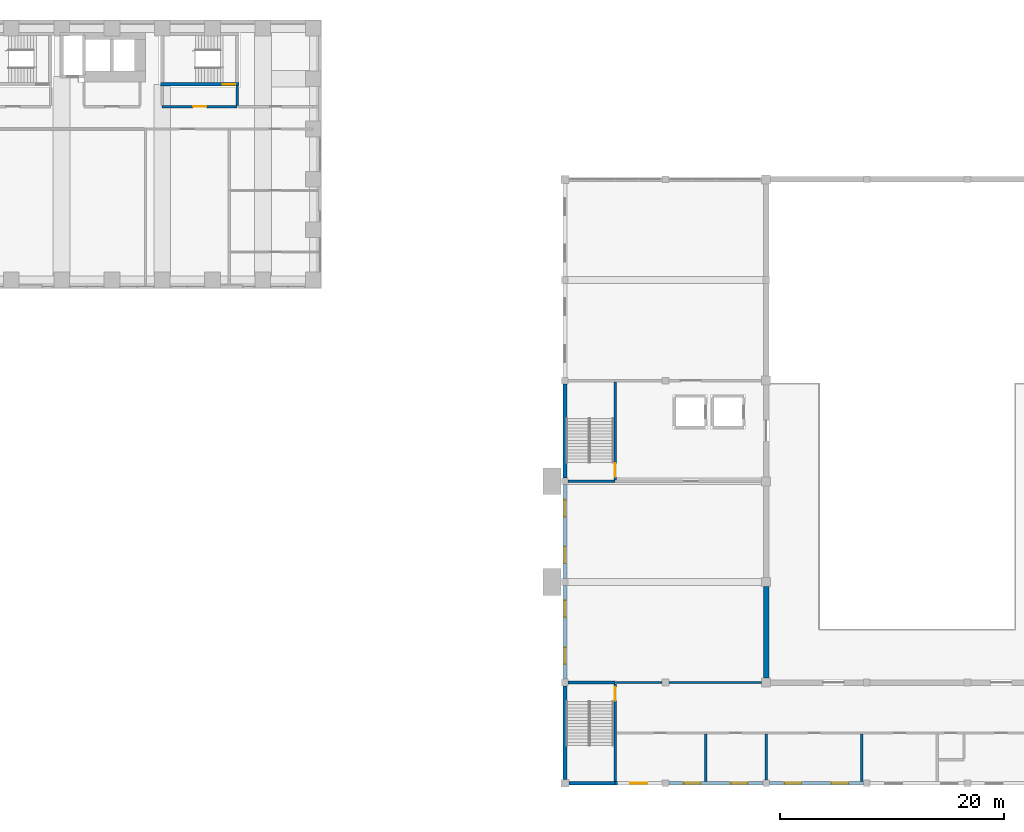
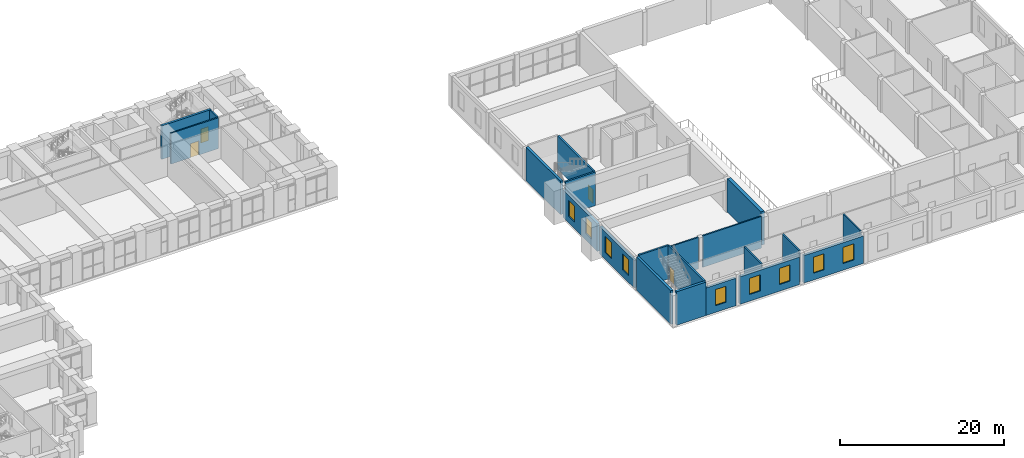
# One storey, part 21 of 34: 21 walls, 9 windows, 4 doors, 13 openings.
"""IFC4 building model written with IfcOpenShell, lengths in metres."""

from ifc_helpers import new_model, si_unit, direction, frame, frame_2d, origin, place, context, subcontext, project, spatial, rectangle, extrude, material, layer, layer_set, type_object, element, fill, save


model = new_model("IFC4")

# Units and contexts
model_context = context("Model", 3, precision=1e-05, world=origin(), true_north=direction((0.0, 1.0)))
body_context = subcontext(model_context, "Body", "Model", "MODEL_VIEW")
ifc_project = project(units=[si_unit("LENGTHUNIT", "METRE"), si_unit("AREAUNIT", "SQUARE_METRE"), si_unit("VOLUMEUNIT", "CUBIC_METRE"), si_unit("PLANEANGLEUNIT", "RADIAN"), si_unit("MASSUNIT", "GRAM", prefix="KILO")], contexts=[model_context])

# Site, building, storey
site_placement = place(None, origin())
site = spatial("IfcSite", under=ifc_project, at=site_placement, CompositionType="ELEMENT")
building_placement = place(site_placement, origin())
building = spatial("IfcBuilding", under=site, at=building_placement, Name="Firuza Court", CompositionType="ELEMENT")
storey_placement = place(building_placement, frame((0.0, 0.0, 14.0)))
storey = spatial("IfcBuildingStorey", under=building, at=storey_placement, Name="L02", CompositionType="ELEMENT", Elevation=14.0)

# Wall, opening, door
ifc_material_1 = material(Name="Concrete C60/75", Category="concrete")
ifc_layer_1 = layer(ifc_material_1, 0.300048828125)
ifc_layer_set_1 = layer_set([ifc_layer_1], Name="Concrete C60/75")
wall_type_1 = type_object("IfcWallType", Name="Core wall 300 C60/75", PredefinedType="SHEAR", material=ifc_layer_set_1)
wall_1_placement = place(storey_placement, frame((53.85009765625, 53.5, -0.39990234375), z_axis=(0.0, 0.0, 1.0), x_axis=(1.0, 0.0, 0.0)))
wall_1 = element("IfcWall", 1, at=wall_1_placement, inside=storey, type_object=wall_type_1, Name="Core wall stair L02", PredefinedType="SHEAR", context=body_context, shape_type="SweptSolid", body=[
    extrude(rectangle(XDim=7.0, YDim=0.300048828125, at=frame_2d((3.5, 0.0))), origin(), (0.0, 0.0, 1.0), 5.0),
])
opening_1_placement = place(wall_1_placement, frame((5.580078125, 0.0, 0.39990234375)))
opening_1 = element("IfcOpeningElement", 2, at=opening_1_placement, cuts=wall_1, Name="Opening D02017", PredefinedType="OPENING", context=body_context, shape_type="SweptSolid", body=[
    extrude(rectangle(XDim=1.10009765625, YDim=2.10009765625, at=frame_2d((0.550048828125, 1.050048828125))), frame((0.0, 0.162109375, 0.0), z_axis=(0.0, -1.0, 0.0), x_axis=(1.0, 0.0, 0.0)), (0.0, 0.0, 1.0), 0.323974609375),
])
ifc_material_2 = material(Name="Timber door leaf in hardwood frame", Category="wood")
door_type_1 = type_object("IfcDoorType", Name="Stair door 1100", OperationType="SINGLE_SWING_LEFT", PredefinedType="DOOR", material=ifc_material_2)
door_1_placement = place(opening_1_placement, origin())
door_1 = element("IfcDoor", 3, at=door_1_placement, inside=storey, type_object=door_type_1, Name="Stair door S4", OperationType="SINGLE_SWING_RIGHT", OverallHeight=2.10009765625, OverallWidth=1.10009765625, PredefinedType="DOOR", context=body_context, shape_type="SweptSolid", body=[
    extrude(rectangle(XDim=1.10009765625, YDim=2.10009765625, at=frame_2d((0.550048828125, 1.050048828125))), frame((0.0, 0.02490234375, 0.0), z_axis=(0.0, -1.0, 0.0), x_axis=(1.0, 0.0, 0.0)), (0.0, 0.0, 1.0), 0.050048828125),
])
fill(opening_1, door_1)

# Walls
ifc_material_3 = material(Name="Blockwork", Category="masonry")
ifc_layer_2 = layer(ifc_material_3, 0.199951171875)
ifc_layer_set_2 = layer_set([ifc_layer_2], Name="Blockwork")
wall_type_2 = type_object("IfcWallType", Name="HALL PARTITION 200", PredefinedType="STANDARD", material=ifc_layer_set_2)
wall_2_placement = place(storey_placement, frame((94.5, 0.0, 0.0), z_axis=(0.0, 0.0, 1.0), x_axis=(1.0, 0.0, 0.0)))
element("IfcWall", 4, at=wall_2_placement, inside=storey, type_object=wall_type_2, Name="Wall L02.13", PredefinedType="STANDARD", context=body_context, shape_type="SweptSolid", body=[
    extrude(rectangle(XDim=4.199951171875, YDim=0.199951171875, at=frame_2d((2.10009765625, 0.0))), origin(), (0.0, 0.0, 1.0), 4.699951171875),
])
wall_3_placement = place(storey_placement, frame((99.300048828125, 0.0, 0.0), z_axis=(0.0, 0.0, 1.0), x_axis=(1.0, 0.0, 0.0)))
element("IfcWall", 5, at=wall_3_placement, inside=storey, type_object=wall_type_2, Name="Wall L02.14", PredefinedType="STANDARD", context=body_context, shape_type="SweptSolid", body=[
    extrude(rectangle(XDim=8.300048828125, YDim=0.199951171875, at=frame_2d((4.14990234375, 0.0))), origin(), (0.0, 0.0, 1.0), 4.699951171875),
])
wall_4_placement = place(storey_placement, frame((102.60009765625, -8.824951171875, 0.0), z_axis=(0.0, 0.0, 1.0), x_axis=(0.0, 1.0, 0.0)))
element("IfcWall", 6, at=wall_4_placement, inside=storey, type_object=wall_type_2, Name="Wall L02.58", PredefinedType="STANDARD", context=body_context, shape_type="SweptSolid", body=[
    extrude(rectangle(XDim=4.224853515625, YDim=0.199951171875, at=frame_2d((2.1123046875, 0.0))), origin(), (0.0, 0.0, 1.0), 4.699951171875),
])
wall_5_placement = place(storey_placement, frame((108.0, -8.699951171875, 0.0), z_axis=(0.0, 0.0, 1.0), x_axis=(0.0, 1.0, 0.0)))
element("IfcWall", 7, at=wall_5_placement, inside=storey, type_object=wall_type_2, Name="Wall L02.62", PredefinedType="STANDARD", context=body_context, shape_type="SweptSolid", body=[
    extrude(rectangle(XDim=4.099853515625, YDim=0.199951171875, at=frame_2d((2.0498046875, 0.0))), origin(), (0.0, 0.0, 1.0), 4.699951171875),
])
wall_6_placement = place(storey_placement, frame((116.550048828125, -8.824951171875, 0.0), z_axis=(0.0, 0.0, 1.0), x_axis=(0.0, 1.0, 0.0)))
element("IfcWall", 8, at=wall_6_placement, inside=storey, type_object=wall_type_2, Name="Wall L02.68", PredefinedType="STANDARD", context=body_context, shape_type="SweptSolid", body=[
    extrude(rectangle(XDim=4.224853515625, YDim=0.199951171875, at=frame_2d((2.1123046875, 0.0))), origin(), (0.0, 0.0, 1.0), 4.699951171875),
])
ifc_material_4 = material(Name="Concrete C40/50", Category="concrete")
ifc_layer_3 = layer(ifc_material_4, 0.25)
ifc_layer_set_3 = layer_set([ifc_layer_3], Name="Concrete C40/50")
wall_type_3 = type_object("IfcWallType", Name="HALL RC WALL 250", PredefinedType="STANDARD", material=ifc_layer_set_3)
for number, where, z_axis, x_axis, name in (
    (9, (90.300048828125, 0.0, 0.0), (0.0, 0.0, 1.0), (1.0, 0.0, 0.0), "Wall L02.12"),
    (10, (90.300048828125, 18.0, 0.0), (0.0, 0.0, 1.0), (1.0, 0.0, 0.0), "Wall L02.27"),
):
    element("IfcWall", number, at=place(storey_placement, frame(where, z_axis=z_axis, x_axis=x_axis)), inside=storey, type_object=wall_type_3, Name=name, PredefinedType="STANDARD", context=body_context, shape_type="SweptSolid", body=[
        extrude(rectangle(XDim=4.199951171875, YDim=0.25, at=frame_2d((2.10009765625, 0.0))), origin(), (0.0, 0.0, 1.0), 5.0),
    ])

# Wall, opening, door
wall_7_placement = place(storey_placement, frame((94.5, -8.824951171875, 0.0), z_axis=(0.0, 0.0, 1.0), x_axis=(0.0, 1.0, 0.0)))
wall_7 = element("IfcWall", 11, at=wall_7_placement, inside=storey, type_object=wall_type_3, Name="Wall L02.55", PredefinedType="STANDARD", context=body_context, shape_type="SweptSolid", body=[
    extrude(rectangle(XDim=8.699951171875, YDim=0.25, at=frame_2d((4.35009765625, 0.0))), origin(), (0.0, 0.0, 1.0), 5.0),
])
opening_2_placement = place(wall_7_placement, frame((7.219970703125, 0.0, 0.0)))
opening_2 = element("IfcOpeningElement", 12, at=opening_2_placement, cuts=wall_7, Name="Opening H095", PredefinedType="OPENING", context=body_context, shape_type="SweptSolid", body=[
    extrude(rectangle(XDim=1.199951171875, YDim=2.10009765625, at=frame_2d((0.60009765625, 1.050048828125))), frame((0.0, 0.136962890625, 0.0), z_axis=(0.0, -1.0, 0.0), x_axis=(1.0, 0.0, 0.0)), (0.0, 0.0, 1.0), 0.27392578125),
])
ifc_material_5 = material(Name="Timber", Category="wood")
door_type_2 = type_object("IfcDoorType", Name="HALL DOOR 1200X2100", OperationType="SINGLE_SWING_LEFT", PredefinedType="DOOR", material=ifc_material_5)
door_2_placement = place(opening_2_placement, origin())
door_2 = element("IfcDoor", 13, at=door_2_placement, inside=storey, type_object=door_type_2, Name="Stair H1 door", OperationType="SINGLE_SWING_RIGHT", OverallHeight=2.10009765625, OverallWidth=1.199951171875, PredefinedType="DOOR", context=body_context, shape_type="SweptSolid", body=[
    extrude(rectangle(XDim=1.199951171875, YDim=2.10009765625, at=frame_2d((0.60009765625, 1.050048828125))), frame((0.0, 0.02490234375, 0.0), z_axis=(0.0, -1.0, 0.0), x_axis=(1.0, 0.0, 0.0)), (0.0, 0.0, 1.0), 0.050048828125),
])
fill(opening_2, door_2)

wall_8_placement = place(storey_placement, frame((94.5, 18.125, 0.0), z_axis=(0.0, 0.0, 1.0), x_axis=(0.0, 1.0, 0.0)))
wall_8 = element("IfcWall", 14, at=wall_8_placement, inside=storey, type_object=wall_type_3, Name="Wall L02.56", PredefinedType="STANDARD", context=body_context, shape_type="SweptSolid", body=[
    extrude(rectangle(XDim=8.75, YDim=0.25, at=frame_2d((4.375, 0.0))), origin(), (0.0, 0.0, 1.0), 5.0),
])
opening_3_placement = place(wall_8_placement, frame((0.27001953125, 0.0, 0.0)))
opening_3 = element("IfcOpeningElement", 15, at=opening_3_placement, cuts=wall_8, Name="Opening H097", PredefinedType="OPENING", context=body_context, shape_type="SweptSolid", body=[
    extrude(rectangle(XDim=1.199951171875, YDim=2.10009765625, at=frame_2d((0.60009765625, 1.050048828125))), frame((0.0, 0.136962890625, 0.0), z_axis=(0.0, -1.0, 0.0), x_axis=(1.0, 0.0, 0.0)), (0.0, 0.0, 1.0), 0.27392578125),
])
door_3_placement = place(opening_3_placement, origin())
door_3 = element("IfcDoor", 16, at=door_3_placement, inside=storey, type_object=door_type_2, Name="Stair H3 door", OperationType="SINGLE_SWING_LEFT", OverallHeight=2.10009765625, OverallWidth=1.199951171875, PredefinedType="DOOR", context=body_context, shape_type="SweptSolid", body=[
    extrude(rectangle(XDim=1.199951171875, YDim=2.10009765625, at=frame_2d((0.60009765625, 1.050048828125))), frame((0.0, 0.02490234375, 0.0), z_axis=(0.0, -1.0, 0.0), x_axis=(1.0, 0.0, 0.0)), (0.0, 0.0, 1.0), 0.050048828125),
])
fill(opening_3, door_3)

# Walls
ifc_layer_4 = layer(ifc_material_4, 0.5)
ifc_layer_set_4 = layer_set([ifc_layer_4], Name="Concrete C40/50")
wall_type_4 = type_object("IfcWallType", Name="HALL RC WALL 500", PredefinedType="STANDARD", material=ifc_layer_set_4)
wall_9_placement = place(storey_placement, frame((108.0, 0.39990234375, 0.0), z_axis=(0.0, 0.0, 1.0), x_axis=(0.0, 1.0, 0.0)))
element("IfcWall", 17, at=wall_9_placement, inside=storey, type_object=wall_type_4, Name="Wall L02.63", PredefinedType="STANDARD", context=body_context, shape_type="SweptSolid", body=[
    extrude(rectangle(XDim=8.2001953125, YDim=0.5, at=frame_2d((4.10009765625, 0.0))), origin(), (0.0, 0.0, 1.0), 5.0),
])
ifc_material_6 = material(Name="Concrete C30/37", Category="concrete")
ifc_layer_5 = layer(ifc_material_6, 0.300048828125)
ifc_material_7 = material(Name="Ceramic tile", Category="ceramic")
ifc_layer_6 = layer(ifc_material_7, 0.050048828125)
ifc_layer_set_5 = layer_set([ifc_layer_5, ifc_layer_6], Name="Concrete C30/37")
wall_type_5 = type_object("IfcWallType", Name="HALL TILE CLAD WALL 350", PredefinedType="STANDARD", material=ifc_layer_set_5)
wall_10_placement = place(storey_placement, frame((90.35009765625, -9.0, 0.0), z_axis=(0.0, 0.0, 1.0), x_axis=(1.0, 0.0, 0.0)))
element("IfcWall", 18, at=wall_10_placement, inside=storey, type_object=wall_type_5, Name="Wall L02.1", PredefinedType="STANDARD", context=body_context, shape_type="SweptSolid", body=[
    extrude(rectangle(XDim=4.14990234375, YDim=0.35009765625, at=frame_2d((2.074951171875, 0.0))), origin(), (0.0, 0.0, 1.0), 5.0),
])

# Wall, opening, window
wall_11_placement = place(storey_placement, frame((94.5, -9.0, 0.0), z_axis=(0.0, 0.0, 1.0), x_axis=(1.0, 0.0, 0.0)))
wall_11 = element("IfcWall", 19, at=wall_11_placement, inside=storey, type_object=wall_type_5, Name="Wall L02.2", PredefinedType="STANDARD", context=body_context, shape_type="SweptSolid", body=[
    extrude(rectangle(XDim=4.199951171875, YDim=0.35009765625, at=frame_2d((2.10009765625, 0.0))), origin(), (0.0, 0.0, 1.0), 4.10009765625),
])
opening_4_placement = place(wall_11_placement, frame((1.35009765625, 0.0, 1.0)))
opening_4 = element("IfcOpeningElement", 20, at=opening_4_placement, cuts=wall_11, Name="Opening HW-1", PredefinedType="OPENING", context=body_context, shape_type="SweptSolid", body=[
    extrude(rectangle(XDim=1.5, YDim=2.39990234375, at=frame_2d((0.75, 1.199951171875))), frame((0.0, 0.18701171875, 0.0), z_axis=(0.0, -1.0, 0.0), x_axis=(1.0, 0.0, 0.0)), (0.0, 0.0, 1.0), 0.3740234375),
])
ifc_material_8 = material(Name="Aluminium", Category="aluminium")
window_type = type_object("IfcWindowType", Name="HALL WINDOW 1500X2400", PartitioningType="SINGLE_PANEL", PredefinedType="WINDOW", material=ifc_material_8)
window_1_placement = place(opening_4_placement, origin())
window_1 = element("IfcWindow", 21, at=window_1_placement, inside=storey, type_object=window_type, Name="Window L02.45", OverallHeight=2.39990234375, OverallWidth=1.5, PartitioningType="SINGLE_PANEL", PredefinedType="WINDOW", context=body_context, shape_type="SweptSolid", body=[
    extrude(rectangle(XDim=1.5, YDim=2.39990234375, at=frame_2d((0.75, 1.199951171875))), frame((0.0, 0.030029296875, 0.0), z_axis=(0.0, -1.0, 0.0), x_axis=(1.0, 0.0, 0.0)), (0.0, 0.0, 1.0), 0.06005859375),
])
fill(opening_4, window_1)

# Wall, openings, windows
wall_12_placement = place(storey_placement, frame((99.300048828125, -9.0, 0.0), z_axis=(0.0, 0.0, 1.0), x_axis=(1.0, 0.0, 0.0)))
wall_12 = element("IfcWall", 22, at=wall_12_placement, inside=storey, type_object=wall_type_5, Name="Wall L02.3", PredefinedType="STANDARD", context=body_context, shape_type="SweptSolid", body=[
    extrude(rectangle(XDim=8.39990234375, YDim=0.35009765625, at=frame_2d((4.199951171875, 0.0))), origin(), (0.0, 0.0, 1.0), 4.10009765625),
])
opening_5_placement = place(wall_12_placement, frame((1.35009765625, 0.0, 1.0)))
opening_5 = element("IfcOpeningElement", 23, at=opening_5_placement, cuts=wall_12, Name="Opening HW-1", PredefinedType="OPENING", context=body_context, shape_type="SweptSolid", body=[
    extrude(rectangle(XDim=1.5, YDim=2.39990234375, at=frame_2d((0.75, 1.199951171875))), frame((0.0, 0.18701171875, 0.0), z_axis=(0.0, -1.0, 0.0), x_axis=(1.0, 0.0, 0.0)), (0.0, 0.0, 1.0), 0.3740234375),
])
opening_6_placement = place(wall_12_placement, frame((5.550048828125, 0.0, 1.0)))
opening_6 = element("IfcOpeningElement", 24, at=opening_6_placement, cuts=wall_12, Name="Opening HW-1", PredefinedType="OPENING", context=body_context, shape_type="SweptSolid", body=[
    extrude(rectangle(XDim=1.5, YDim=2.39990234375, at=frame_2d((0.75, 1.199951171875))), frame((0.0, 0.18701171875, 0.0), z_axis=(0.0, -1.0, 0.0), x_axis=(1.0, 0.0, 0.0)), (0.0, 0.0, 1.0), 0.3740234375),
])
window_2_placement = place(opening_5_placement, origin())
window_2 = element("IfcWindow", 25, at=window_2_placement, inside=storey, type_object=window_type, Name="Window L02.46", OverallHeight=2.39990234375, OverallWidth=1.5, PartitioningType="SINGLE_PANEL", PredefinedType="WINDOW", context=body_context, shape_type="SweptSolid", body=[
    extrude(rectangle(XDim=1.5, YDim=2.39990234375, at=frame_2d((0.75, 1.199951171875))), frame((0.0, 0.030029296875, 0.0), z_axis=(0.0, -1.0, 0.0), x_axis=(1.0, 0.0, 0.0)), (0.0, 0.0, 1.0), 0.06005859375),
])
fill(opening_5, window_2)
window_3_placement = place(opening_6_placement, origin())
window_3 = element("IfcWindow", 26, at=window_3_placement, inside=storey, type_object=window_type, Name="Window L02.47", OverallHeight=2.39990234375, OverallWidth=1.5, PartitioningType="SINGLE_PANEL", PredefinedType="WINDOW", context=body_context, shape_type="SweptSolid", body=[
    extrude(rectangle(XDim=1.5, YDim=2.39990234375, at=frame_2d((0.75, 1.199951171875))), frame((0.0, 0.030029296875, 0.0), z_axis=(0.0, -1.0, 0.0), x_axis=(1.0, 0.0, 0.0)), (0.0, 0.0, 1.0), 0.06005859375),
])
fill(opening_6, window_3)

wall_13_placement = place(storey_placement, frame((108.300048828125, -9.0, 0.0), z_axis=(0.0, 0.0, 1.0), x_axis=(1.0, 0.0, 0.0)))
wall_13 = element("IfcWall", 27, at=wall_13_placement, inside=storey, type_object=wall_type_5, Name="Wall L02.4", PredefinedType="STANDARD", context=body_context, shape_type="SweptSolid", body=[
    extrude(rectangle(XDim=8.39990234375, YDim=0.35009765625, at=frame_2d((4.199951171875, 0.0))), origin(), (0.0, 0.0, 1.0), 4.10009765625),
])
opening_7_placement = place(wall_13_placement, frame((1.35009765625, 0.0, 1.0)))
opening_7 = element("IfcOpeningElement", 28, at=opening_7_placement, cuts=wall_13, Name="Opening HW-1", PredefinedType="OPENING", context=body_context, shape_type="SweptSolid", body=[
    extrude(rectangle(XDim=1.5, YDim=2.39990234375, at=frame_2d((0.75, 1.199951171875))), frame((0.0, 0.18701171875, 0.0), z_axis=(0.0, -1.0, 0.0), x_axis=(1.0, 0.0, 0.0)), (0.0, 0.0, 1.0), 0.3740234375),
])
opening_8_placement = place(wall_13_placement, frame((5.550048828125, 0.0, 1.0)))
opening_8 = element("IfcOpeningElement", 29, at=opening_8_placement, cuts=wall_13, Name="Opening HW-1", PredefinedType="OPENING", context=body_context, shape_type="SweptSolid", body=[
    extrude(rectangle(XDim=1.5, YDim=2.39990234375, at=frame_2d((0.75, 1.199951171875))), frame((0.0, 0.18701171875, 0.0), z_axis=(0.0, -1.0, 0.0), x_axis=(1.0, 0.0, 0.0)), (0.0, 0.0, 1.0), 0.3740234375),
])
window_4_placement = place(opening_7_placement, origin())
window_4 = element("IfcWindow", 30, at=window_4_placement, inside=storey, type_object=window_type, Name="Window L02.48", OverallHeight=2.39990234375, OverallWidth=1.5, PartitioningType="SINGLE_PANEL", PredefinedType="WINDOW", context=body_context, shape_type="SweptSolid", body=[
    extrude(rectangle(XDim=1.5, YDim=2.39990234375, at=frame_2d((0.75, 1.199951171875))), frame((0.0, 0.030029296875, 0.0), z_axis=(0.0, -1.0, 0.0), x_axis=(1.0, 0.0, 0.0)), (0.0, 0.0, 1.0), 0.06005859375),
])
fill(opening_7, window_4)
window_5_placement = place(opening_8_placement, origin())
window_5 = element("IfcWindow", 31, at=window_5_placement, inside=storey, type_object=window_type, Name="Window L02.49", OverallHeight=2.39990234375, OverallWidth=1.5, PartitioningType="SINGLE_PANEL", PredefinedType="WINDOW", context=body_context, shape_type="SweptSolid", body=[
    extrude(rectangle(XDim=1.5, YDim=2.39990234375, at=frame_2d((0.75, 1.199951171875))), frame((0.0, 0.030029296875, 0.0), z_axis=(0.0, -1.0, 0.0), x_axis=(1.0, 0.0, 0.0)), (0.0, 0.0, 1.0), 0.06005859375),
])
fill(opening_8, window_5)

# Wall
wall_14_placement = place(storey_placement, frame((90.0, -8.64990234375, 0.0), z_axis=(0.0, 0.0, 1.0), x_axis=(0.0, 1.0, 0.0)))
element("IfcWall", 32, at=wall_14_placement, inside=storey, type_object=wall_type_5, Name="Wall L02.49", PredefinedType="STANDARD", context=body_context, shape_type="SweptSolid", body=[
    extrude(rectangle(XDim=8.349853515625, YDim=0.35009765625, at=frame_2d((4.1748046875, 0.0))), origin(), (0.0, 0.0, 1.0), 5.0),
])

# Wall, openings, windows
wall_15_placement = place(storey_placement, frame((90.0, 0.300048828125, 0.0), z_axis=(0.0, 0.0, 1.0), x_axis=(0.0, 1.0, 0.0)))
wall_15 = element("IfcWall", 33, at=wall_15_placement, inside=storey, type_object=wall_type_5, Name="Wall L02.50", PredefinedType="STANDARD", context=body_context, shape_type="SweptSolid", body=[
    extrude(rectangle(XDim=8.39990234375, YDim=0.35009765625, at=frame_2d((4.199951171875, 0.0))), origin(), (0.0, 0.0, 1.0), 4.10009765625),
])
opening_9_placement = place(wall_15_placement, frame((1.35009765625, 0.0, 1.0)))
opening_9 = element("IfcOpeningElement", 34, at=opening_9_placement, cuts=wall_15, Name="Opening HW-1", PredefinedType="OPENING", context=body_context, shape_type="SweptSolid", body=[
    extrude(rectangle(XDim=1.5, YDim=2.39990234375, at=frame_2d((0.75, 1.199951171875))), frame((0.0, 0.18701171875, 0.0), z_axis=(0.0, -1.0, 0.0), x_axis=(1.0, 0.0, 0.0)), (0.0, 0.0, 1.0), 0.3740234375),
])
opening_10_placement = place(wall_15_placement, frame((5.550048828125, 0.0, 1.0)))
opening_10 = element("IfcOpeningElement", 35, at=opening_10_placement, cuts=wall_15, Name="Opening HW-1", PredefinedType="OPENING", context=body_context, shape_type="SweptSolid", body=[
    extrude(rectangle(XDim=1.5, YDim=2.39990234375, at=frame_2d((0.75, 1.199951171875))), frame((0.0, 0.18701171875, 0.0), z_axis=(0.0, -1.0, 0.0), x_axis=(1.0, 0.0, 0.0)), (0.0, 0.0, 1.0), 0.3740234375),
])
window_6_placement = place(opening_9_placement, origin())
window_6 = element("IfcWindow", 36, at=window_6_placement, inside=storey, type_object=window_type, Name="Window L02.58", OverallHeight=2.39990234375, OverallWidth=1.5, PartitioningType="SINGLE_PANEL", PredefinedType="WINDOW", context=body_context, shape_type="SweptSolid", body=[
    extrude(rectangle(XDim=1.5, YDim=2.39990234375, at=frame_2d((0.75, 1.199951171875))), frame((0.0, 0.030029296875, 0.0), z_axis=(0.0, -1.0, 0.0), x_axis=(1.0, 0.0, 0.0)), (0.0, 0.0, 1.0), 0.06005859375),
])
fill(opening_9, window_6)
window_7_placement = place(opening_10_placement, origin())
window_7 = element("IfcWindow", 37, at=window_7_placement, inside=storey, type_object=window_type, Name="Window L02.59", OverallHeight=2.39990234375, OverallWidth=1.5, PartitioningType="SINGLE_PANEL", PredefinedType="WINDOW", context=body_context, shape_type="SweptSolid", body=[
    extrude(rectangle(XDim=1.5, YDim=2.39990234375, at=frame_2d((0.75, 1.199951171875))), frame((0.0, 0.030029296875, 0.0), z_axis=(0.0, -1.0, 0.0), x_axis=(1.0, 0.0, 0.0)), (0.0, 0.0, 1.0), 0.06005859375),
])
fill(opening_10, window_7)

wall_16_placement = place(storey_placement, frame((90.0, 9.300048828125, 0.0), z_axis=(0.0, 0.0, 1.0), x_axis=(0.0, 1.0, 0.0)))
wall_16 = element("IfcWall", 38, at=wall_16_placement, inside=storey, type_object=wall_type_5, Name="Wall L02.51", PredefinedType="STANDARD", context=body_context, shape_type="SweptSolid", body=[
    extrude(rectangle(XDim=8.39990234375, YDim=0.35009765625, at=frame_2d((4.199951171875, 0.0))), origin(), (0.0, 0.0, 1.0), 4.10009765625),
])
opening_11_placement = place(wall_16_placement, frame((1.35009765625, 0.0, 1.0)))
opening_11 = element("IfcOpeningElement", 39, at=opening_11_placement, cuts=wall_16, Name="Opening HW-1", PredefinedType="OPENING", context=body_context, shape_type="SweptSolid", body=[
    extrude(rectangle(XDim=1.5, YDim=2.39990234375, at=frame_2d((0.75, 1.199951171875))), frame((0.0, 0.18701171875, 0.0), z_axis=(0.0, -1.0, 0.0), x_axis=(1.0, 0.0, 0.0)), (0.0, 0.0, 1.0), 0.3740234375),
])
opening_12_placement = place(wall_16_placement, frame((5.550048828125, 0.0, 1.0)))
opening_12 = element("IfcOpeningElement", 40, at=opening_12_placement, cuts=wall_16, Name="Opening HW-1", PredefinedType="OPENING", context=body_context, shape_type="SweptSolid", body=[
    extrude(rectangle(XDim=1.5, YDim=2.39990234375, at=frame_2d((0.75, 1.199951171875))), frame((0.0, 0.18701171875, 0.0), z_axis=(0.0, -1.0, 0.0), x_axis=(1.0, 0.0, 0.0)), (0.0, 0.0, 1.0), 0.3740234375),
])
window_8_placement = place(opening_11_placement, origin())
window_8 = element("IfcWindow", 41, at=window_8_placement, inside=storey, type_object=window_type, Name="Window L02.60", OverallHeight=2.39990234375, OverallWidth=1.5, PartitioningType="SINGLE_PANEL", PredefinedType="WINDOW", context=body_context, shape_type="SweptSolid", body=[
    extrude(rectangle(XDim=1.5, YDim=2.39990234375, at=frame_2d((0.75, 1.199951171875))), frame((0.0, 0.030029296875, 0.0), z_axis=(0.0, -1.0, 0.0), x_axis=(1.0, 0.0, 0.0)), (0.0, 0.0, 1.0), 0.06005859375),
])
fill(opening_11, window_8)
window_9_placement = place(opening_12_placement, origin())
window_9 = element("IfcWindow", 42, at=window_9_placement, inside=storey, type_object=window_type, Name="Window L02.61", OverallHeight=2.39990234375, OverallWidth=1.5, PartitioningType="SINGLE_PANEL", PredefinedType="WINDOW", context=body_context, shape_type="SweptSolid", body=[
    extrude(rectangle(XDim=1.5, YDim=2.39990234375, at=frame_2d((0.75, 1.199951171875))), frame((0.0, 0.030029296875, 0.0), z_axis=(0.0, -1.0, 0.0), x_axis=(1.0, 0.0, 0.0)), (0.0, 0.0, 1.0), 0.06005859375),
])
fill(opening_12, window_9)

# Wall
wall_17_placement = place(storey_placement, frame((90.0, 18.300048828125, 0.0), z_axis=(0.0, 0.0, 1.0), x_axis=(0.0, 1.0, 0.0)))
element("IfcWall", 43, at=wall_17_placement, inside=storey, type_object=wall_type_5, Name="Wall L02.52", PredefinedType="STANDARD", context=body_context, shape_type="SweptSolid", body=[
    extrude(rectangle(XDim=8.39990234375, YDim=0.35009765625, at=frame_2d((4.199951171875, 0.0))), origin(), (0.0, 0.0, 1.0), 5.0),
])

# Wall, opening, door
ifc_material_9 = material(Name="Blockwork, fire-rated", Category="masonry")
ifc_layer_7 = layer(ifc_material_9, 0.199951171875)
ifc_layer_set_6 = layer_set([ifc_layer_7], Name="Blockwork, fire-rated")
wall_type_6 = type_object("IfcWallType", Name="Shaft wall 200", PredefinedType="PARTITIONING", material=ifc_layer_set_6)
wall_18_placement = place(storey_placement, frame((54.0, 51.5, 0.0), z_axis=(0.0, 0.0, 1.0), x_axis=(1.0, 0.0, 0.0)))
wall_18 = element("IfcWall", 44, at=wall_18_placement, inside=storey, type_object=wall_type_6, Name="Shaft wall 200 L02", PredefinedType="PARTITIONING", context=body_context, shape_type="SweptSolid", body=[
    extrude(rectangle(XDim=6.699951171875, YDim=0.199951171875, at=frame_2d((3.35009765625, 0.0))), origin(), (0.0, 0.0, 1.0), 4.60009765625),
])
opening_13_placement = place(wall_18_placement, frame((2.75, 0.0, 0.0)))
opening_13 = element("IfcOpeningElement", 45, at=opening_13_placement, cuts=wall_18, Name="Opening D02007", PredefinedType="OPENING", context=body_context, shape_type="SweptSolid", body=[
    extrude(rectangle(XDim=1.199951171875, YDim=2.10009765625, at=frame_2d((0.60009765625, 1.050048828125))), frame((0.0, 0.11181640625, 0.0), z_axis=(0.0, -1.0, 0.0), x_axis=(1.0, 0.0, 0.0)), (0.0, 0.0, 1.0), 0.223876953125),
])
ifc_material_10 = material(Name="Timber door leaf in hardwood frame", Category="wood")
door_type_3 = type_object("IfcDoorType", Name="Lobby door 1200", OperationType="SINGLE_SWING_LEFT", PredefinedType="DOOR", material=ifc_material_10)
door_4_placement = place(opening_13_placement, origin())
door_4 = element("IfcDoor", 46, at=door_4_placement, inside=storey, type_object=door_type_3, Name="Lobby door", OperationType="SINGLE_SWING_LEFT", OverallHeight=2.10009765625, OverallWidth=1.199951171875, PredefinedType="DOOR", context=body_context, shape_type="SweptSolid", body=[
    extrude(rectangle(XDim=1.199951171875, YDim=2.10009765625, at=frame_2d((0.60009765625, 1.050048828125))), frame((0.0, 0.02490234375, 0.0), z_axis=(0.0, -1.0, 0.0), x_axis=(1.0, 0.0, 0.0)), (0.0, 0.0, 1.0), 0.050048828125),
])
fill(opening_13, door_4)

# Wall
wall_19_placement = place(storey_placement, frame((60.699951171875, 51.60009765625, 0.0), z_axis=(0.0, 0.0, 1.0), x_axis=(0.0, 1.0, 0.0)))
element("IfcWall", 47, at=wall_19_placement, inside=storey, type_object=wall_type_6, Name="Shaft wall 200 L02", PredefinedType="PARTITIONING", context=body_context, shape_type="SweptSolid", body=[
    extrude(rectangle(XDim=1.72998046875, YDim=0.199951171875, at=frame_2d((0.864990234375, 0.0))), origin(), (0.0, 0.0, 1.0), 4.60009765625),
])

save(model, "model.ifc")
